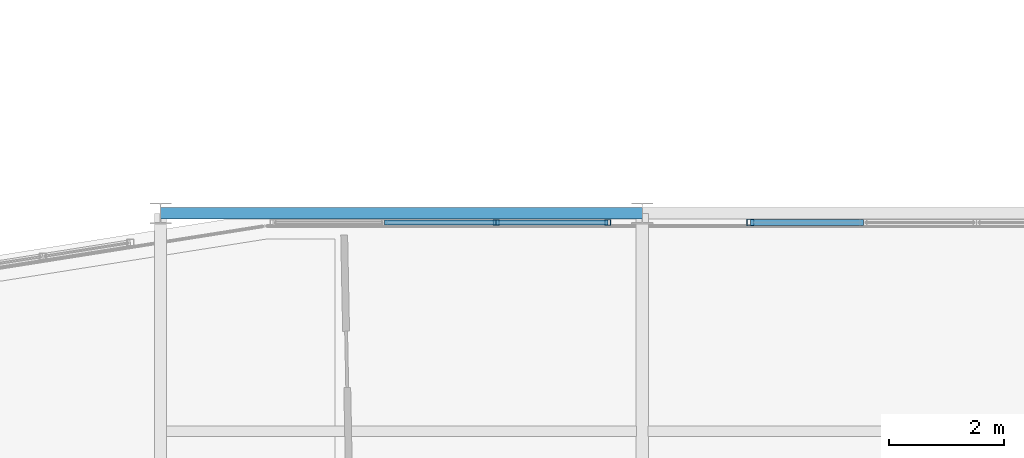
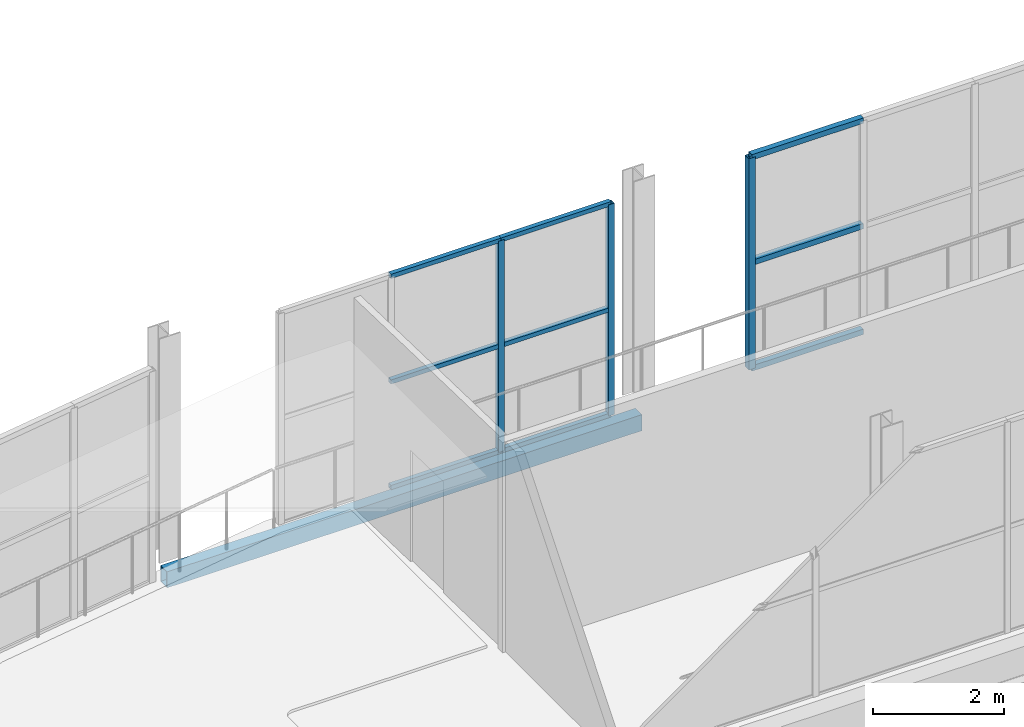
# One storey, part 57 of 217: 12 members, 1 beam, 2 elements without a shape of their own.
"""IFC4 building model written with IfcOpenShell, lengths in metres."""

from ifc_helpers import new_model, si_unit, direction, frame, origin, origin_2d, place, context, subcontext, project, spatial, hollow_rectangle, extrude, material, material_profile, profile_set, type_object, element, aggregate, save


model = new_model("IFC4")

# Units and contexts
model_context = context("Model", 3, precision=1e-05, world=origin(), true_north=direction((0.0, 1.0)))
body_context = subcontext(model_context, "Body", "Model", "MODEL_VIEW")
ifc_project = project(units=[si_unit("LENGTHUNIT", "METRE"), si_unit("AREAUNIT", "SQUARE_METRE"), si_unit("VOLUMEUNIT", "CUBIC_METRE"), si_unit("PLANEANGLEUNIT", "RADIAN"), si_unit("MASSUNIT", "GRAM", prefix="KILO")], contexts=[model_context])

# Site, building, storey
site_placement = place(None, origin())
site = spatial("IfcSite", under=ifc_project, at=site_placement, CompositionType="ELEMENT")
building_placement = place(site_placement, origin())
building = spatial("IfcBuilding", under=site, at=building_placement, Name="Zuvorla Pavilion Media Centre", CompositionType="ELEMENT")
storey_placement = place(building_placement, frame((0.0, 0.0, 9.60009765625)))
storey = spatial("IfcBuildingStorey", under=building, at=storey_placement, Name="L02", CompositionType="ELEMENT", Elevation=9.60009765625)

# Beam
ifc_material_1 = material(Name="Steel S355", Category="steel")
ifc_material_profile_1 = material_profile(ifc_material_1, hollow_rectangle(XDim=0.199951171875, YDim=0.300048828125, WallThickness=0.012451171875, at=origin_2d()), Name="RHS 300x200x12.5")
ifc_profile_set_1 = profile_set([ifc_material_profile_1], Name="Steel S355")
beam_type = type_object("IfcBeamType", Name="BM-SP-RHS300", PredefinedType="SPANDREL", material=ifc_profile_set_1)
beam_placement = place(storey_placement, frame((24.800048828125, 89.60009765625, -0.418212890625), z_axis=(1.0, 0.0, 0.0), x_axis=(0.0, 1.0, 0.0)))
element("IfcBeam", 1, at=beam_placement, inside=storey, type_object=beam_type, Name="L02 spandrel SP01 876", PredefinedType="SPANDREL", context=body_context, shape_type="SweptSolid", body=[
    extrude(hollow_rectangle(XDim=0.199951171875, YDim=0.300048828125, WallThickness=0.012451171875, at=origin_2d()), origin(), (0.0, 0.0, 1.0), 8.39990234375),
])

# Curtain wall, members
ifc_material_2 = material(Name="Unitised anodised aluminium and solar glass curtain wall", Category="aluminium")
curtain_wall_type_1 = type_object("IfcCurtainWallType", Name="CW-SYS-19", PredefinedType="USERDEFINED", material=ifc_material_2)
curtain_wall_1_placement = place(storey_placement, origin())
curtain_wall_1 = element("IfcCurtainWall", 2, at=curtain_wall_1_placement, inside=storey, type_object=curtain_wall_type_1, Name="L02 curtain wall CW19 26", ObjectType="CURTAIN WALL", PredefinedType="USERDEFINED")
ifc_material_3 = material(Name="Anodised aluminium 6063-T6", Category="aluminium")
ifc_material_profile_2 = material_profile(ifc_material_3, hollow_rectangle(XDim=0.10009765625, YDim=0.10009765625, WallThickness=0.00439453125, at=origin_2d()), Name="ALU MULL 100x100")
ifc_profile_set_2 = profile_set([ifc_material_profile_2], Name="Anodised aluminium 6063-T6")
member_type_1 = type_object("IfcMemberType", Name="CW-MULL-100", PredefinedType="MULLION", material=ifc_profile_set_2)
member_1_placement = place(storey_placement, frame((32.599853515625, 89.43994140625, 0.0), z_axis=(0.0, 0.0, 1.0), x_axis=(1.0, 0.0, 0.0)))
member_1 = element("IfcMember", 3, at=member_1_placement, type_object=member_type_1, Name="CW19 mullion 1", PredefinedType="MULLION", context=body_context, shape_type="SweptSolid", body=[
    extrude(hollow_rectangle(XDim=0.10009765625, YDim=0.10009765625, WallThickness=0.00439453125, at=origin_2d()), origin(), (0.0, 0.0, 1.0), 3.949951171875),
])
member_2_placement = place(storey_placement, frame((30.6533203125, 89.43994140625, 0.0), z_axis=(0.0, 0.0, 1.0), x_axis=(1.0, 0.0, 0.0)))
member_2 = element("IfcMember", 4, at=member_2_placement, type_object=member_type_1, Name="CW19 mullion 2", PredefinedType="MULLION", context=body_context, shape_type="SweptSolid", body=[
    extrude(hollow_rectangle(XDim=0.10009765625, YDim=0.10009765625, WallThickness=0.00439453125, at=origin_2d()), origin(), (0.0, 0.0, 1.0), 3.949951171875),
])

curtain_wall_type_2 = type_object("IfcCurtainWallType", Name="CW-SYS-17", PredefinedType="USERDEFINED", material=ifc_material_2)
curtain_wall_2_placement = place(storey_placement, origin())
curtain_wall_2 = element("IfcCurtainWall", 5, at=curtain_wall_2_placement, inside=storey, type_object=curtain_wall_type_2, Name="L02 curtain wall CW17 25", ObjectType="CURTAIN WALL", PredefinedType="USERDEFINED")
ifc_material_profile_3 = material_profile(ifc_material_3, hollow_rectangle(XDim=0.1201171875, YDim=0.1201171875, WallThickness=0.0048828125, at=origin_2d()), Name="ALU MULL 120x120")
ifc_profile_set_3 = profile_set([ifc_material_profile_3], Name="Anodised aluminium 6063-T6")
member_type_2 = type_object("IfcMemberType", Name="CW-MULL-120", PredefinedType="MULLION", material=ifc_profile_set_3)
member_3_placement = place(storey_placement, frame((35.0849609375, 89.43994140625, 0.0), z_axis=(0.0, 0.0, 1.0), x_axis=(1.0, 0.0, 0.0)))
member_3 = element("IfcMember", 6, at=member_3_placement, type_object=member_type_2, Name="CW17 mullion 4", PredefinedType="MULLION", context=body_context, shape_type="SweptSolid", body=[
    extrude(hollow_rectangle(XDim=0.1201171875, YDim=0.1201171875, WallThickness=0.0048828125, at=origin_2d()), origin(), (0.0, 0.0, 1.0), 3.949951171875),
])
ifc_material_profile_4 = material_profile(ifc_material_3, hollow_rectangle(XDim=0.10009765625, YDim=0.10009765625, WallThickness=0.00439453125, at=origin_2d()), Name="ALU TRAN 100x100")
ifc_profile_set_4 = profile_set([ifc_material_profile_4], Name="Anodised aluminium 6063-T6")
member_type_3 = type_object("IfcMemberType", Name="CW-TRAN-100", PredefinedType="USERDEFINED", material=ifc_profile_set_4)
member_4_placement = place(storey_placement, frame((37.056640625, 89.43994140625, 0.0), z_axis=(-1.0, 0.0, 0.0), x_axis=(0.0, -1.0, 0.0)))
member_4 = element("IfcMember", 7, at=member_4_placement, type_object=member_type_3, Name="CW17 transom 3.1", ObjectType="TRANSOM", PredefinedType="USERDEFINED", context=body_context, shape_type="SweptSolid", body=[
    extrude(hollow_rectangle(XDim=0.10009765625, YDim=0.10009765625, WallThickness=0.00439453125, at=origin_2d()), origin(), (0.0, 0.0, 1.0), 1.9716796875),
])
member_5_placement = place(storey_placement, frame((37.056640625, 89.43994140625, 1.974853515625), z_axis=(-1.0, 0.0, 0.0), x_axis=(0.0, -1.0, 0.0)))
member_5 = element("IfcMember", 8, at=member_5_placement, type_object=member_type_3, Name="CW17 transom 3.2", ObjectType="TRANSOM", PredefinedType="USERDEFINED", context=body_context, shape_type="SweptSolid", body=[
    extrude(hollow_rectangle(XDim=0.10009765625, YDim=0.10009765625, WallThickness=0.00439453125, at=origin_2d()), origin(), (0.0, 0.0, 1.0), 1.9716796875),
])
member_6_placement = place(storey_placement, frame((37.056640625, 89.43994140625, 3.949951171875), z_axis=(-1.0, 0.0, 0.0), x_axis=(0.0, -1.0, 0.0)))
member_6 = element("IfcMember", 9, at=member_6_placement, type_object=member_type_3, Name="CW17 transom 3.3", ObjectType="TRANSOM", PredefinedType="USERDEFINED", context=body_context, shape_type="SweptSolid", body=[
    extrude(hollow_rectangle(XDim=0.10009765625, YDim=0.10009765625, WallThickness=0.00439453125, at=origin_2d()), origin(), (0.0, 0.0, 1.0), 1.9716796875),
])
aggregate(curtain_wall_2, [member_3, member_4, member_5, member_6])

# Member
ifc_material_profile_5 = material_profile(ifc_material_3, hollow_rectangle(XDim=0.080078125, YDim=0.080078125, WallThickness=0.00390625, at=origin_2d()), Name="ALU TRAN 80x80")
ifc_profile_set_5 = profile_set([ifc_material_profile_5], Name="Anodised aluminium 6063-T6")
member_type_4 = type_object("IfcMemberType", Name="CW-TRAN-80", PredefinedType="USERDEFINED", material=ifc_profile_set_5)
member_7_placement = place(storey_placement, frame((32.599853515625, 89.43994140625, 0.0), z_axis=(-1.0, 0.0, 0.0), x_axis=(0.0, -1.0, 0.0)))
member_7 = element("IfcMember", 10, at=member_7_placement, type_object=member_type_4, Name="CW19 transom 1.1", ObjectType="TRANSOM", PredefinedType="USERDEFINED", context=body_context, shape_type="SweptSolid", body=[
    extrude(hollow_rectangle(XDim=0.080078125, YDim=0.080078125, WallThickness=0.00390625, at=origin_2d()), origin(), (0.0, 0.0, 1.0), 1.946533203125),
])

member_8_placement = place(storey_placement, frame((32.599853515625, 89.43994140625, 1.974853515625), z_axis=(-1.0, 0.0, 0.0), x_axis=(0.0, -1.0, 0.0)))
member_8 = element("IfcMember", 11, at=member_8_placement, type_object=member_type_4, Name="CW19 transom 1.2", ObjectType="TRANSOM", PredefinedType="USERDEFINED", context=body_context, shape_type="SweptSolid", body=[
    extrude(hollow_rectangle(XDim=0.080078125, YDim=0.080078125, WallThickness=0.00390625, at=origin_2d()), origin(), (0.0, 0.0, 1.0), 1.946533203125),
])

member_9_placement = place(storey_placement, frame((32.599853515625, 89.43994140625, 3.949951171875), z_axis=(-1.0, 0.0, 0.0), x_axis=(0.0, -1.0, 0.0)))
member_9 = element("IfcMember", 12, at=member_9_placement, type_object=member_type_4, Name="CW19 transom 1.3", ObjectType="TRANSOM", PredefinedType="USERDEFINED", context=body_context, shape_type="SweptSolid", body=[
    extrude(hollow_rectangle(XDim=0.080078125, YDim=0.080078125, WallThickness=0.00390625, at=origin_2d()), origin(), (0.0, 0.0, 1.0), 1.946533203125),
])

member_10_placement = place(storey_placement, frame((30.6533203125, 89.43994140625, 0.0), z_axis=(-1.0, 0.0, 0.0), x_axis=(0.0, -1.0, 0.0)))
member_10 = element("IfcMember", 13, at=member_10_placement, type_object=member_type_4, Name="CW19 transom 2.1", ObjectType="TRANSOM", PredefinedType="USERDEFINED", context=body_context, shape_type="SweptSolid", body=[
    extrude(hollow_rectangle(XDim=0.080078125, YDim=0.080078125, WallThickness=0.00390625, at=origin_2d()), origin(), (0.0, 0.0, 1.0), 1.94677734375),
])

member_11_placement = place(storey_placement, frame((30.6533203125, 89.43994140625, 1.974853515625), z_axis=(-1.0, 0.0, 0.0), x_axis=(0.0, -1.0, 0.0)))
member_11 = element("IfcMember", 14, at=member_11_placement, type_object=member_type_4, Name="CW19 transom 2.2", ObjectType="TRANSOM", PredefinedType="USERDEFINED", context=body_context, shape_type="SweptSolid", body=[
    extrude(hollow_rectangle(XDim=0.080078125, YDim=0.080078125, WallThickness=0.00390625, at=origin_2d()), origin(), (0.0, 0.0, 1.0), 1.94677734375),
])

member_12_placement = place(storey_placement, frame((30.6533203125, 89.43994140625, 3.949951171875), z_axis=(-1.0, 0.0, 0.0), x_axis=(0.0, -1.0, 0.0)))
member_12 = element("IfcMember", 15, at=member_12_placement, type_object=member_type_4, Name="CW19 transom 2.3", ObjectType="TRANSOM", PredefinedType="USERDEFINED", context=body_context, shape_type="SweptSolid", body=[
    extrude(hollow_rectangle(XDim=0.080078125, YDim=0.080078125, WallThickness=0.00390625, at=origin_2d()), origin(), (0.0, 0.0, 1.0), 1.94677734375),
])

aggregate(curtain_wall_1, [member_1, member_2, member_7, member_8, member_9, member_10, member_11, member_12])

save(model, "model.ifc")
